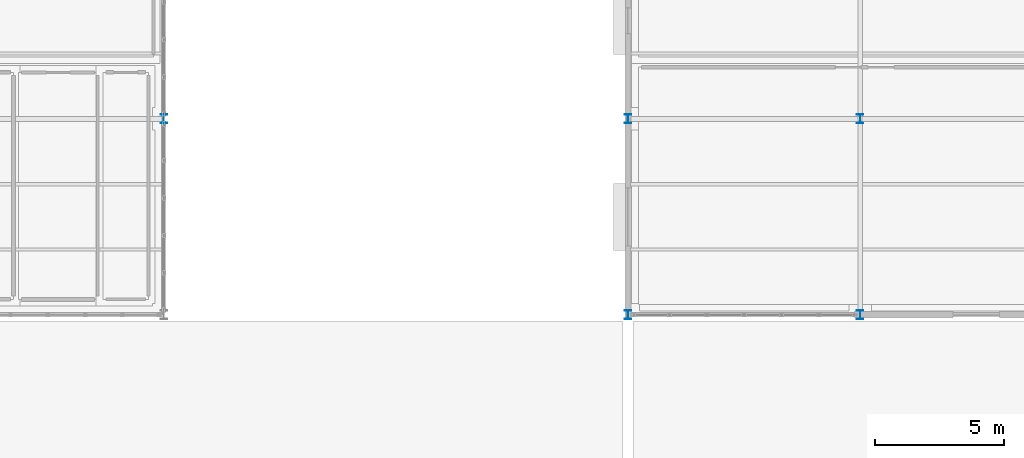
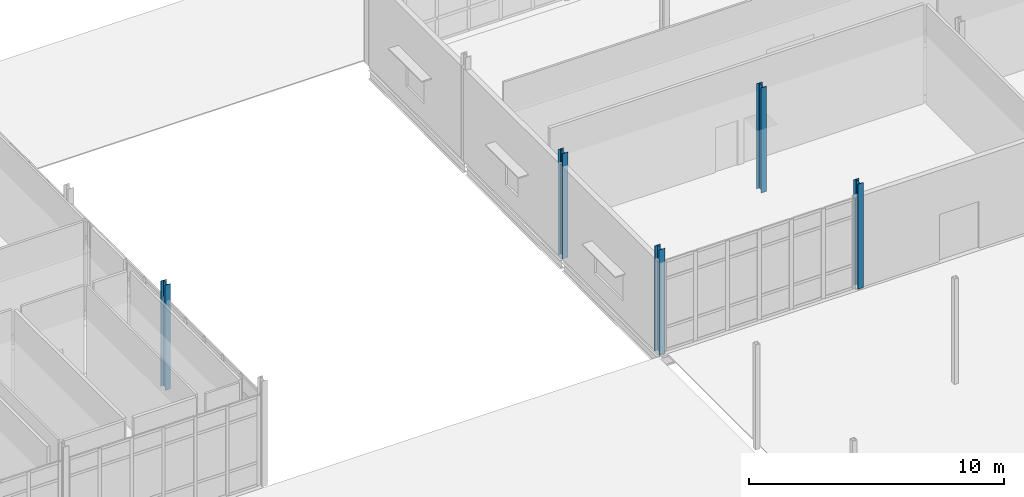
# One storey, part 17 of 161: 5 columns.
"""IFC4 building model written with IfcOpenShell, lengths in metres."""

from ifc_helpers import new_model, si_unit, direction, frame, origin, origin_2d, place, context, subcontext, project, spatial, i_section, extrude, material, material_profile, profile_set, type_object, element, save


model = new_model("IFC4")

# Units and contexts
model_context = context("Model", 3, precision=1e-05, world=origin(), true_north=direction((0.0, 1.0)))
body_context = subcontext(model_context, "Body", "Model", "MODEL_VIEW")
ifc_project = project(units=[si_unit("LENGTHUNIT", "METRE"), si_unit("AREAUNIT", "SQUARE_METRE"), si_unit("VOLUMEUNIT", "CUBIC_METRE"), si_unit("PLANEANGLEUNIT", "RADIAN"), si_unit("MASSUNIT", "GRAM", prefix="KILO")], contexts=[model_context])

# Site, building, storey
site_placement = place(None, origin())
site = spatial("IfcSite", under=ifc_project, at=site_placement, CompositionType="ELEMENT")
building_placement = place(site_placement, origin())
building = spatial("IfcBuilding", under=site, at=building_placement, Name="Caisbarro Railhouse Central Library", CompositionType="ELEMENT")
storey_placement = place(building_placement, origin())
storey = spatial("IfcBuildingStorey", under=building, at=storey_placement, Name="L00", CompositionType="ELEMENT", Elevation=0.0)

# Columns
ifc_material = material(Name="Steel ASTM A572 Grade 50", Category="steel")
ifc_material_profile = material_profile(ifc_material, i_section(OverallWidth=0.25390625, OverallDepth=0.35302734375, WebThickness=0.009521484375, FlangeThickness=0.016357421875, FilletRadius=0.014892578125, at=origin_2d()), Name="W360X91.0")
ifc_profile_set = profile_set([ifc_material_profile], Name="Steel ASTM A572 Grade 50")
column_type = type_object("IfcColumnType", Name="COL-C05", PredefinedType="COLUMN", material=ifc_profile_set)
for number, where, z_axis, x_axis, name in (
    (1, (36.0, 91.199951171875, 0.0), (0.0, 0.0, 1.0), (1.0, 0.0, 0.0), "C05 column L00 (36.0,91.2)"),
    (2, (54.0, 83.60009765625, 0.0), (0.0, 0.0, 1.0), (1.0, 0.0, 0.0), "C05 column L00 (54.0,83.6)"),
    (3, (54.0, 91.199951171875, 0.0), (0.0, 0.0, 1.0), (1.0, 0.0, 0.0), "C05 column L00 (54.0,91.2)"),
    (4, (63.0, 83.60009765625, 0.0), (0.0, 0.0, 1.0), (1.0, 0.0, 0.0), "C05 column L00 (63.0,83.6)"),
    (5, (63.0, 91.199951171875, 0.0), (0.0, 0.0, 1.0), (1.0, 0.0, 0.0), "C05 column L00 (63.0,91.2)"),
):
    element("IfcColumn", number, at=place(storey_placement, frame(where, z_axis=z_axis, x_axis=x_axis)), inside=storey, type_object=column_type, Name=name, PredefinedType="COLUMN", context=body_context, shape_type="SweptSolid", body=[
        extrude(i_section(OverallWidth=0.25390625, OverallDepth=0.35302734375, WebThickness=0.009521484375, FlangeThickness=0.016357421875, FilletRadius=0.014892578125, at=origin_2d()), origin(), (0.0, 0.0, 1.0), 5.0400390625),
    ])

save(model, "model.ifc")
